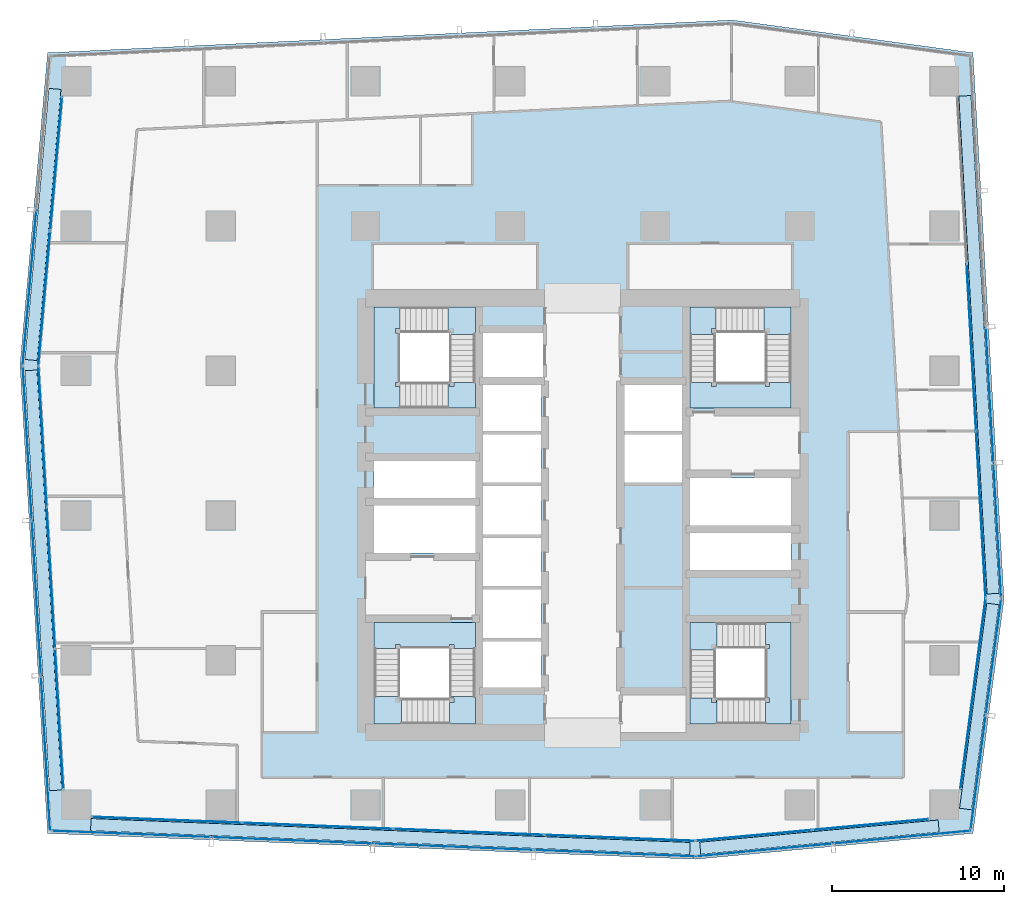
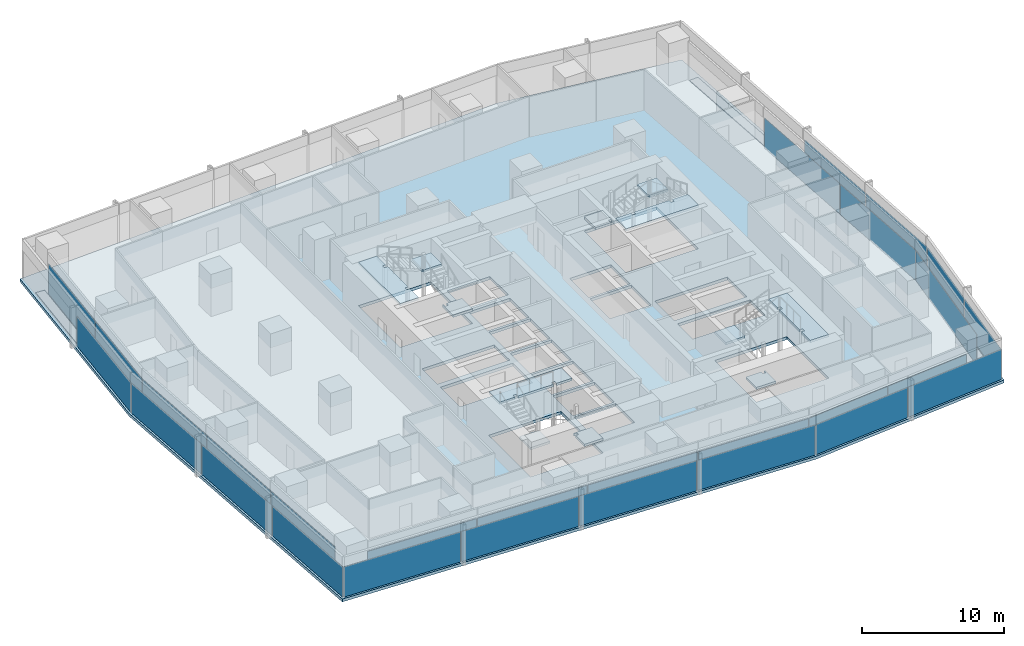
# One storey, part 26 of 39: 34 plates, 13 slabs, 16 elements without a shape of their own.
"""IFC4 building model written with IfcOpenShell, lengths in metres."""

from ifc_helpers import new_model, si_unit, direction, frame, origin, origin_2d, place, context, subcontext, project, spatial, polyline, rectangle, outline, extrude, material, layer, layer_set, type_object, element, aggregate, save


model = new_model("IFC4")

# Units and contexts
model_context = context("Model", 3, precision=1e-05, world=origin(), true_north=direction((0.0, 1.0)))
body_context = subcontext(model_context, "Body", "Model", "MODEL_VIEW")
ifc_project = project(units=[si_unit("LENGTHUNIT", "METRE"), si_unit("AREAUNIT", "SQUARE_METRE"), si_unit("VOLUMEUNIT", "CUBIC_METRE"), si_unit("PLANEANGLEUNIT", "RADIAN"), si_unit("MASSUNIT", "GRAM", prefix="KILO")], contexts=[model_context])

# Site, building, storey
site_placement = place(None, origin())
site = spatial("IfcSite", under=ifc_project, at=site_placement, CompositionType="ELEMENT")
building_placement = place(site_placement, origin())
building = spatial("IfcBuilding", under=site, at=building_placement, Name="Rekha Terrace Tower", CompositionType="ELEMENT")
storey_placement = place(building_placement, frame((0.0, 0.0, 180.199951171875)))
storey = spatial("IfcBuildingStorey", under=building, at=storey_placement, Name="L45", CompositionType="ELEMENT", Elevation=180.199951171875)

# Curtain wall, plates
ifc_material_1 = material(Name="Aluminium framing", Category="aluminium")
curtain_wall_type_1 = type_object("IfcCurtainWallType", Name="CW1 double skin inner glazing", PredefinedType="USERDEFINED", material=ifc_material_1)
curtain_wall_1_placement = place(storey_placement, origin())
curtain_wall_1 = element("IfcCurtainWall", 1, at=curtain_wall_1_placement, inside=storey, type_object=curtain_wall_type_1, Name="CW1 double skin inner glazing", ObjectType="DOUBLE SKIN INNER GLAZING", PredefinedType="USERDEFINED")
ifc_material_2 = material(Name="Double-glazed low-e unit 32", Category="glass")
ifc_layer_1 = layer(ifc_material_2, 0.031982421875)
ifc_layer_set_1 = layer_set([ifc_layer_1], Name="Double-glazed low-e unit 32")
plate_type_1 = type_object("IfcPlateType", Name="CW1 jumbo vision panel, double-glazed low-e unit 32", PredefinedType="CURTAIN_PANEL", material=ifc_layer_set_1)
plate_1_placement = place(storey_placement, frame((13.669677734375, 15.934814453125, 0.0), z_axis=(0.0, 0.0, 1.0), x_axis=(0.999204775799, -0.039872497044, 0.0)))
plate_1 = element("IfcPlate", 2, at=plate_1_placement, type_object=plate_type_1, Name="CW1 panel 1.1", PredefinedType="CURTAIN_PANEL", context=body_context, shape_type="SweptSolid", body=[
    extrude(rectangle(XDim=8.6689453125, YDim=0.031982421875, at=origin_2d()), origin(), (0.0, 0.0, 1.0), 2.60009765625),
])
plate_2_placement = place(storey_placement, frame((22.4130859375, 15.5859375, 0.0), z_axis=(0.0, 0.0, 1.0), x_axis=(0.999204775799, -0.039872497044, 0.0)))
plate_2 = element("IfcPlate", 3, at=plate_2_placement, type_object=plate_type_1, Name="CW1 panel 2.1", PredefinedType="CURTAIN_PANEL", context=body_context, shape_type="SweptSolid", body=[
    extrude(rectangle(XDim=8.701416015625, YDim=0.031982421875, at=origin_2d()), origin(), (0.0, 0.0, 1.0), 2.60009765625),
])
plate_3_placement = place(storey_placement, frame((31.172607421875, 15.236328125, 0.0), z_axis=(0.0, 0.0, 1.0), x_axis=(0.999204775799, -0.039872497044, 0.0)))
plate_3 = element("IfcPlate", 4, at=plate_3_placement, type_object=plate_type_1, Name="CW1 panel 3.1", PredefinedType="CURTAIN_PANEL", context=body_context, shape_type="SweptSolid", body=[
    extrude(rectangle(XDim=8.701416015625, YDim=0.031982421875, at=origin_2d()), origin(), (0.0, 0.0, 1.0), 2.60009765625),
])
plate_4_placement = place(storey_placement, frame((39.9482421875, 14.885986328125, 0.0), z_axis=(0.0, 0.0, 1.0), x_axis=(0.999204775799, -0.039872497044, 0.0)))
plate_4 = element("IfcPlate", 5, at=plate_4_placement, type_object=plate_type_1, Name="CW1 panel 4.1", PredefinedType="CURTAIN_PANEL", context=body_context, shape_type="SweptSolid", body=[
    extrude(rectangle(XDim=8.73388671875, YDim=0.031982421875, at=origin_2d()), origin(), (0.0, 0.0, 1.0), 2.60009765625),
])
aggregate(curtain_wall_1, [plate_1, plate_2, plate_3, plate_4])

curtain_wall_2_placement = place(storey_placement, origin())
curtain_wall_2 = element("IfcCurtainWall", 6, at=curtain_wall_2_placement, inside=storey, type_object=curtain_wall_type_1, Name="CW1 double skin inner glazing", ObjectType="DOUBLE SKIN INNER GLAZING", PredefinedType="USERDEFINED")
plate_5_placement = place(storey_placement, frame((47.73193359375, 15.030517578125, 0.0), z_axis=(0.0, 0.0, 1.0), x_axis=(0.995693258745, 0.092708869529, 0.0)))
plate_5 = element("IfcPlate", 7, at=plate_5_placement, type_object=plate_type_1, Name="CW1 panel 1.1", PredefinedType="CURTAIN_PANEL", context=body_context, shape_type="SweptSolid", body=[
    extrude(rectangle(XDim=6.739501953125, YDim=0.031982421875, at=origin_2d()), origin(), (0.0, 0.0, 1.0), 2.60009765625),
])
plate_6_placement = place(storey_placement, frame((54.507080078125, 15.6611328125, 0.0), z_axis=(0.0, 0.0, 1.0), x_axis=(0.995693258745, 0.092708869529, 0.0)))
plate_6 = element("IfcPlate", 8, at=plate_6_placement, type_object=plate_type_1, Name="CW1 panel 2.1", PredefinedType="CURTAIN_PANEL", context=body_context, shape_type="SweptSolid", body=[
    extrude(rectangle(XDim=6.739501953125, YDim=0.031982421875, at=origin_2d()), origin(), (0.0, 0.0, 1.0), 2.60009765625),
])
aggregate(curtain_wall_2, [plate_5, plate_6])

# Curtain wall, plate
curtain_wall_3_placement = place(storey_placement, origin())
curtain_wall_3 = element("IfcCurtainWall", 9, at=curtain_wall_3_placement, inside=storey, type_object=curtain_wall_type_1, Name="CW1 double skin inner glazing", ObjectType="DOUBLE SKIN INNER GLAZING", PredefinedType="USERDEFINED")
plate_7_placement = place(storey_placement, frame((60.4541015625, 23.253173828125, 0.0), z_axis=(0.0, 0.0, 1.0), x_axis=(0.131303603023, 0.991342203194, 0.0)))
plate_7 = element("IfcPlate", 10, at=plate_7_placement, type_object=plate_type_1, Name="CW1 panel 1.1", PredefinedType="CURTAIN_PANEL", context=body_context, shape_type="SweptSolid", body=[
    extrude(rectangle(XDim=11.150146484375, YDim=0.031982421875, at=origin_2d()), origin(), (0.0, 0.0, 1.0), 2.60009765625),
])
aggregate(curtain_wall_3, [plate_7])

# Curtain wall, plates
curtain_wall_4_placement = place(storey_placement, origin())
curtain_wall_4 = element("IfcCurtainWall", 11, at=curtain_wall_4_placement, inside=storey, type_object=curtain_wall_type_1, Name="CW1 double skin inner glazing", ObjectType="DOUBLE SKIN INNER GLAZING", PredefinedType="USERDEFINED")
plate_8_placement = place(storey_placement, frame((60.909423828125, 33.653564453125, 0.0), z_axis=(0.0, 0.0, 1.0), x_axis=(-0.056673194877, 0.998392782918, 0.0)))
plate_8 = element("IfcPlate", 12, at=plate_8_placement, type_object=plate_type_1, Name="CW1 panel 1.1", PredefinedType="CURTAIN_PANEL", context=body_context, shape_type="SweptSolid", body=[
    extrude(rectangle(XDim=9.633056640625, YDim=0.031982421875, at=origin_2d()), origin(), (0.0, 0.0, 1.0), 2.60009765625),
])
plate_9_placement = place(storey_placement, frame((60.35888671875, 43.352294921875, 0.0), z_axis=(0.0, 0.0, 1.0), x_axis=(-0.056673194877, 0.998392782918, 0.0)))
plate_9 = element("IfcPlate", 13, at=plate_9_placement, type_object=plate_type_1, Name="CW1 panel 2.1", PredefinedType="CURTAIN_PANEL", context=body_context, shape_type="SweptSolid", body=[
    extrude(rectangle(XDim=9.66552734375, YDim=0.031982421875, at=origin_2d()), origin(), (0.0, 0.0, 1.0), 2.60009765625),
])
aggregate(curtain_wall_4, [plate_8, plate_9])

curtain_wall_5_placement = place(storey_placement, origin())
curtain_wall_5 = element("IfcCurtainWall", 14, at=curtain_wall_5_placement, inside=storey, type_object=curtain_wall_type_1, Name="CW1 double skin inner glazing", ObjectType="DOUBLE SKIN INNER GLAZING", PredefinedType="USERDEFINED")
plate_10_placement = place(storey_placement, frame((7.2451171875, 54.007080078125, 0.0), z_axis=(0.0, 0.0, 1.0), x_axis=(-0.087957985488, -0.996124185425, 0.0)))
plate_10 = element("IfcPlate", 15, at=plate_10_placement, type_object=plate_type_1, Name="CW1 panel 1.1", PredefinedType="CURTAIN_PANEL", context=body_context, shape_type="SweptSolid", body=[
    extrude(rectangle(XDim=7.73876953125, YDim=0.031982421875, at=origin_2d()), origin(), (0.0, 0.0, 1.0), 2.60009765625),
])
plate_11_placement = place(storey_placement, frame((6.555908203125, 46.201171875, 0.0), z_axis=(0.0, 0.0, 1.0), x_axis=(-0.087957985488, -0.996124185425, 0.0)))
plate_11 = element("IfcPlate", 16, at=plate_11_placement, type_object=plate_type_1, Name="CW1 panel 2.1", PredefinedType="CURTAIN_PANEL", context=body_context, shape_type="SweptSolid", body=[
    extrude(rectangle(XDim=7.8037109375, YDim=0.031982421875, at=origin_2d()), origin(), (0.0, 0.0, 1.0), 2.60009765625),
])
aggregate(curtain_wall_5, [plate_10, plate_11])

curtain_wall_6_placement = place(storey_placement, origin())
curtain_wall_6 = element("IfcCurtainWall", 17, at=curtain_wall_6_placement, inside=storey, type_object=curtain_wall_type_1, Name="CW1 double skin inner glazing", ObjectType="DOUBLE SKIN INNER GLAZING", PredefinedType="USERDEFINED")
plate_12_placement = place(storey_placement, frame((6.455322265625, 38.191650390625, 0.0), z_axis=(0.0, 0.0, 1.0), x_axis=(0.058765082551, -0.998271839267, 0.0)))
plate_12 = element("IfcPlate", 18, at=plate_12_placement, type_object=plate_type_1, Name="CW1 panel 1.1", PredefinedType="CURTAIN_PANEL", context=body_context, shape_type="SweptSolid", body=[
    extrude(rectangle(XDim=8.129638671875, YDim=0.031982421875, at=origin_2d()), origin(), (0.0, 0.0, 1.0), 2.60009765625),
])
plate_13_placement = place(storey_placement, frame((6.93798828125, 29.9951171875, 0.0), z_axis=(0.0, 0.0, 1.0), x_axis=(0.058765082551, -0.998271839267, 0.0)))
plate_13 = element("IfcPlate", 19, at=plate_13_placement, type_object=plate_type_1, Name="CW1 panel 2.1", PredefinedType="CURTAIN_PANEL", context=body_context, shape_type="SweptSolid", body=[
    extrude(rectangle(XDim=8.162109375, YDim=0.031982421875, at=origin_2d()), origin(), (0.0, 0.0, 1.0), 2.60009765625),
])
plate_14_placement = place(storey_placement, frame((7.42041015625, 21.79833984375, 0.0), z_axis=(0.0, 0.0, 1.0), x_axis=(0.058765082551, -0.998271839267, 0.0)))
plate_14 = element("IfcPlate", 20, at=plate_14_placement, type_object=plate_type_1, Name="CW1 panel 3.1", PredefinedType="CURTAIN_PANEL", context=body_context, shape_type="SweptSolid", body=[
    extrude(rectangle(XDim=8.129638671875, YDim=0.031982421875, at=origin_2d()), origin(), (0.0, 0.0, 1.0), 2.60009765625),
])
aggregate(curtain_wall_6, [plate_12, plate_13, plate_14])

curtain_wall_type_2 = type_object("IfcCurtainWallType", Name="CW2 double skin outer glazing", PredefinedType="USERDEFINED", material=ifc_material_1)
curtain_wall_7_placement = place(storey_placement, origin())
curtain_wall_7 = element("IfcCurtainWall", 21, at=curtain_wall_7_placement, inside=storey, type_object=curtain_wall_type_2, Name="CW2 double skin outer glazing", ObjectType="DOUBLE SKIN OUTER GLAZING", PredefinedType="USERDEFINED")
ifc_material_3 = material(Name="Toughened single glazing 12", Category="glass")
ifc_layer_2 = layer(ifc_material_3, 0.011962890625)
ifc_layer_set_2 = layer_set([ifc_layer_2], Name="Toughened single glazing 12")
plate_type_2 = type_object("IfcPlateType", Name="CW2 jumbo vision panel, toughened single glazing 12", PredefinedType="CURTAIN_PANEL", material=ifc_layer_set_2)
plate_15_placement = place(storey_placement, frame((11.6005859375, 15.116455078125, 0.0), z_axis=(0.0, 0.0, 1.0), x_axis=(0.999204775799, -0.039872497044, 0.0)))
plate_15 = element("IfcPlate", 22, at=plate_15_placement, type_object=plate_type_2, Name="CW2 panel 1.1", PredefinedType="CURTAIN_PANEL", context=body_context, shape_type="SweptSolid", body=[
    extrude(rectangle(XDim=9.24609375, YDim=0.011962890625, at=origin_2d()), origin(), (0.0, 0.0, 1.0), 2.60009765625),
])
plate_16_placement = place(storey_placement, frame((20.939208984375, 14.743896484375, 0.0), z_axis=(0.0, 0.0, 1.0), x_axis=(0.999204775799, -0.039872497044, 0.0)))
plate_16 = element("IfcPlate", 23, at=plate_16_placement, type_object=plate_type_2, Name="CW2 panel 2.1", PredefinedType="CURTAIN_PANEL", context=body_context, shape_type="SweptSolid", body=[
    extrude(rectangle(XDim=9.2861328125, YDim=0.011962890625, at=origin_2d()), origin(), (0.0, 0.0, 1.0), 2.60009765625),
])
plate_17_placement = place(storey_placement, frame((30.2978515625, 14.370361328125, 0.0), z_axis=(0.0, 0.0, 1.0), x_axis=(0.999204775799, -0.039872497044, 0.0)))
plate_17 = element("IfcPlate", 24, at=plate_17_placement, type_object=plate_type_2, Name="CW2 panel 3.1", PredefinedType="CURTAIN_PANEL", context=body_context, shape_type="SweptSolid", body=[
    extrude(rectangle(XDim=9.2861328125, YDim=0.011962890625, at=origin_2d()), origin(), (0.0, 0.0, 1.0), 2.60009765625),
])
plate_18_placement = place(storey_placement, frame((39.676513671875, 13.996337890625, 0.0), z_axis=(0.0, 0.0, 1.0), x_axis=(0.999204775799, -0.039872497044, 0.0)))
plate_18 = element("IfcPlate", 25, at=plate_18_placement, type_object=plate_type_2, Name="CW2 panel 4.1", PredefinedType="CURTAIN_PANEL", context=body_context, shape_type="SweptSolid", body=[
    extrude(rectangle(XDim=9.326171875, YDim=0.011962890625, at=origin_2d()), origin(), (0.0, 0.0, 1.0), 2.60009765625),
])
aggregate(curtain_wall_7, [plate_15, plate_16, plate_17, plate_18])

curtain_wall_8_placement = place(storey_placement, origin())
curtain_wall_8 = element("IfcCurtainWall", 26, at=curtain_wall_8_placement, inside=storey, type_object=curtain_wall_type_2, Name="CW2 double skin outer glazing", ObjectType="DOUBLE SKIN OUTER GLAZING", PredefinedType="USERDEFINED")
plate_19_placement = place(storey_placement, frame((48.348876953125, 14.183837890625, 0.0), z_axis=(0.0, 0.0, 1.0), x_axis=(0.995693258747, 0.092708869512, 0.0)))
plate_19 = element("IfcPlate", 27, at=plate_19_placement, type_object=plate_type_2, Name="CW2 panel 1.1", PredefinedType="CURTAIN_PANEL", context=body_context, shape_type="SweptSolid", body=[
    extrude(rectangle(XDim=7.900634765625, YDim=0.011962890625, at=origin_2d()), origin(), (0.0, 0.0, 1.0), 2.60009765625),
])
plate_20_placement = place(storey_placement, frame((56.3349609375, 14.927490234375, 0.0), z_axis=(0.0, 0.0, 1.0), x_axis=(0.995693258747, 0.092708869512, 0.0)))
plate_20 = element("IfcPlate", 28, at=plate_20_placement, type_object=plate_type_2, Name="CW2 panel 2.1", PredefinedType="CURTAIN_PANEL", context=body_context, shape_type="SweptSolid", body=[
    extrude(rectangle(XDim=7.980712890625, YDim=0.011962890625, at=origin_2d()), origin(), (0.0, 0.0, 1.0), 2.60009765625),
])
aggregate(curtain_wall_8, [plate_19, plate_20])

curtain_wall_9_placement = place(storey_placement, origin())
curtain_wall_9 = element("IfcCurtainWall", 29, at=curtain_wall_9_placement, inside=storey, type_object=curtain_wall_type_2, Name="CW2 double skin outer glazing", ObjectType="DOUBLE SKIN OUTER GLAZING", PredefinedType="USERDEFINED")
plate_21_placement = place(storey_placement, frame((60.756103515625, 18.679443359375, 0.0), z_axis=(0.0, 0.0, 1.0), x_axis=(0.131303603075, 0.991342203187, 0.0)))
plate_21 = element("IfcPlate", 30, at=plate_21_placement, type_object=plate_type_2, Name="CW2 panel 1.1", PredefinedType="CURTAIN_PANEL", context=body_context, shape_type="SweptSolid", body=[
    extrude(rectangle(XDim=6.6630859375, YDim=0.011962890625, at=origin_2d()), origin(), (0.0, 0.0, 1.0), 2.60009765625),
])
plate_22_placement = place(storey_placement, frame((61.646728515625, 25.40380859375, 0.0), z_axis=(0.0, 0.0, 1.0), x_axis=(0.131303603075, 0.991342203187, 0.0)))
plate_22 = element("IfcPlate", 31, at=plate_22_placement, type_object=plate_type_2, Name="CW2 panel 2.1", PredefinedType="CURTAIN_PANEL", context=body_context, shape_type="SweptSolid", body=[
    extrude(rectangle(XDim=6.742919921875, YDim=0.011962890625, at=origin_2d()), origin(), (0.0, 0.0, 1.0), 2.60009765625),
])
aggregate(curtain_wall_9, [plate_21, plate_22])

curtain_wall_10_placement = place(storey_placement, origin())
curtain_wall_10 = element("IfcCurtainWall", 32, at=curtain_wall_10_placement, inside=storey, type_object=curtain_wall_type_2, Name="CW2 double skin outer glazing", ObjectType="DOUBLE SKIN OUTER GLAZING", PredefinedType="USERDEFINED")
plate_23_placement = place(storey_placement, frame((61.8642578125, 32.71142578125, 0.0), z_axis=(0.0, 0.0, 1.0), x_axis=(-0.05667319486, 0.998392782919, 0.0)))
plate_23 = element("IfcPlate", 33, at=plate_23_placement, type_object=plate_type_2, Name="CW2 panel 1.1", PredefinedType="CURTAIN_PANEL", context=body_context, shape_type="SweptSolid", body=[
    extrude(rectangle(XDim=7.783447265625, YDim=0.011962890625, at=origin_2d()), origin(), (0.0, 0.0, 1.0), 2.60009765625),
])
plate_24_placement = place(storey_placement, frame((61.41748046875, 40.582275390625, 0.0), z_axis=(0.0, 0.0, 1.0), x_axis=(-0.05667319486, 0.998392782919, 0.0)))
plate_24 = element("IfcPlate", 34, at=plate_24_placement, type_object=plate_type_2, Name="CW2 panel 2.1", PredefinedType="CURTAIN_PANEL", context=body_context, shape_type="SweptSolid", body=[
    extrude(rectangle(XDim=7.823486328125, YDim=0.011962890625, at=origin_2d()), origin(), (0.0, 0.0, 1.0), 2.60009765625),
])
aggregate(curtain_wall_10, [plate_23, plate_24])

# Curtain wall, plate
curtain_wall_11_placement = place(storey_placement, origin())
curtain_wall_11 = element("IfcCurtainWall", 35, at=curtain_wall_11_placement, inside=storey, type_object=curtain_wall_type_2, Name="CW2 double skin outer glazing", ObjectType="DOUBLE SKIN OUTER GLAZING", PredefinedType="USERDEFINED")
plate_25_placement = place(storey_placement, frame((5.705322265625, 46.800048828125, 0.0), z_axis=(0.0, 0.0, 1.0), x_axis=(-0.087957985453, -0.996124185428, 0.0)))
plate_25 = element("IfcPlate", 36, at=plate_25_placement, type_object=plate_type_2, Name="CW2 panel 2.1", PredefinedType="CURTAIN_PANEL", context=body_context, shape_type="SweptSolid", body=[
    extrude(rectangle(XDim=8.9794921875, YDim=0.011962890625, at=origin_2d()), origin(), (0.0, 0.0, 1.0), 2.60009765625),
])
aggregate(curtain_wall_11, [plate_25])

# Curtain wall, plates
curtain_wall_12_placement = place(storey_placement, origin())
curtain_wall_12 = element("IfcCurtainWall", 37, at=curtain_wall_12_placement, inside=storey, type_object=curtain_wall_type_2, Name="CW2 double skin outer glazing", ObjectType="DOUBLE SKIN OUTER GLAZING", PredefinedType="USERDEFINED")
plate_26_placement = place(storey_placement, frame((5.57666015625, 37.8037109375, 0.0), z_axis=(0.0, 0.0, 1.0), x_axis=(0.058765082499, -0.99827183927, 0.0)))
plate_26 = element("IfcPlate", 38, at=plate_26_placement, type_object=plate_type_2, Name="CW2 panel 1.1", PredefinedType="CURTAIN_PANEL", context=body_context, shape_type="SweptSolid", body=[
    extrude(rectangle(XDim=8.903564453125, YDim=0.011962890625, at=origin_2d()), origin(), (0.0, 0.0, 1.0), 2.60009765625),
])
plate_27_placement = place(storey_placement, frame((6.105712890625, 28.81591796875, 0.0), z_axis=(0.0, 0.0, 1.0), x_axis=(0.058765082499, -0.99827183927, 0.0)))
plate_27 = element("IfcPlate", 39, at=plate_27_placement, type_object=plate_type_2, Name="CW2 panel 2.1", PredefinedType="CURTAIN_PANEL", context=body_context, shape_type="SweptSolid", body=[
    extrude(rectangle(XDim=8.943359375, YDim=0.011962890625, at=origin_2d()), origin(), (0.0, 0.0, 1.0), 2.60009765625),
])
plate_28_placement = place(storey_placement, frame((6.63720703125, 19.7880859375, 0.0), z_axis=(0.0, 0.0, 1.0), x_axis=(0.058765082499, -0.99827183927, 0.0)))
plate_28 = element("IfcPlate", 40, at=plate_28_placement, type_object=plate_type_2, Name="CW2 panel 3.1", PredefinedType="CURTAIN_PANEL", context=body_context, shape_type="SweptSolid", body=[
    extrude(rectangle(XDim=8.9833984375, YDim=0.011962890625, at=origin_2d()), origin(), (0.0, 0.0, 1.0), 2.60009765625),
])
aggregate(curtain_wall_12, [plate_26, plate_27, plate_28])

# Plates
ifc_material_4 = material(Name="Galvanised steel open grating", Category="steel")
ifc_layer_3 = layer(ifc_material_4, 0.050048828125)
ifc_layer_set_3 = layer_set([ifc_layer_3], Name="Galvanised steel open grating")
plate_type_3 = type_object("IfcPlateType", Name="GT1 cavity walkway grating 50", PredefinedType="USERDEFINED", material=ifc_layer_set_3)
plate_29_placement = place(storey_placement, frame((26.641357421875, 14.966796875, 0.0), z_axis=(0.0, 0.0, 1.0), x_axis=(0.999204775799, -0.039872497044, 0.0)))
element("IfcPlate", 41, at=plate_29_placement, inside=storey, type_object=plate_type_3, Name="Cavity walkway grating", ObjectType="CAVITY WALKWAY GRATING", PredefinedType="USERDEFINED", context=body_context, shape_type="SweptSolid", body=[
    extrude(rectangle(XDim=34.793212890625, YDim=0.705078125, at=origin_2d()), origin(), (0.0, 0.0, 1.0), 0.050048828125),
])
plate_30_placement = place(storey_placement, frame((51.540771484375, 14.93310546875, 0.0), z_axis=(0.0, 0.0, 1.0), x_axis=(0.995693258745, 0.092708869529, 0.0)))
element("IfcPlate", 42, at=plate_30_placement, inside=storey, type_object=plate_type_3, Name="Cavity walkway grating", ObjectType="CAVITY WALKWAY GRATING", PredefinedType="USERDEFINED", context=body_context, shape_type="SweptSolid", body=[
    extrude(rectangle(XDim=13.896240234375, YDim=0.705078125, at=origin_2d()), origin(), (0.0, 0.0, 1.0), 0.050048828125),
])
plate_31_placement = place(storey_placement, frame((60.81005859375, 22.5146484375, 0.0), z_axis=(0.0, 0.0, 1.0), x_axis=(0.131303603075, 0.991342203187, 0.0)))
element("IfcPlate", 43, at=plate_31_placement, inside=storey, type_object=plate_type_3, Name="Cavity walkway grating", ObjectType="CAVITY WALKWAY GRATING", PredefinedType="USERDEFINED", context=body_context, shape_type="SweptSolid", body=[
    extrude(rectangle(XDim=12.005859375, YDim=0.705078125, at=origin_2d()), origin(), (0.0, 0.0, 1.0), 0.050048828125),
])
plate_32_placement = place(storey_placement, frame((60.80078125, 43.505615234375, 0.0), z_axis=(0.0, 0.0, 1.0), x_axis=(-0.05667319486, 0.998392782919, 0.0)))
element("IfcPlate", 44, at=plate_32_placement, inside=storey, type_object=plate_type_3, Name="Cavity walkway grating", ObjectType="CAVITY WALKWAY GRATING", PredefinedType="USERDEFINED", context=body_context, shape_type="SweptSolid", body=[
    extrude(rectangle(XDim=28.932861328125, YDim=0.705078125, at=origin_2d()), origin(), (0.0, 0.0, 1.0), 0.050048828125),
])
plate_33_placement = place(storey_placement, frame((6.482666015625, 50.486328125, 0.0), z_axis=(0.0, 0.0, 1.0), x_axis=(-0.087957985471, -0.996124185427, 0.0)))
element("IfcPlate", 45, at=plate_33_placement, inside=storey, type_object=plate_type_3, Name="Cavity walkway grating", ObjectType="CAVITY WALKWAY GRATING", PredefinedType="USERDEFINED", context=body_context, shape_type="SweptSolid", body=[
    extrude(rectangle(XDim=15.7939453125, YDim=0.705078125, at=origin_2d()), origin(), (0.0, 0.0, 1.0), 0.050048828125),
])
plate_34_placement = place(storey_placement, frame((6.49658203125, 29.8359375, 0.0), z_axis=(0.0, 0.0, 1.0), x_axis=(0.058765082516, -0.998271839269, 0.0)))
element("IfcPlate", 46, at=plate_34_placement, inside=storey, type_object=plate_type_3, Name="Cavity walkway grating", ObjectType="CAVITY WALKWAY GRATING", PredefinedType="USERDEFINED", context=body_context, shape_type="SweptSolid", body=[
    extrude(rectangle(XDim=24.41357421875, YDim=0.705078125, at=origin_2d()), origin(), (0.0, 0.0, 1.0), 0.050048828125),
])

# Stair, slabs
ifc_material_5 = material(Name="Concrete M40", Category="concrete")
stair_type = type_object("IfcStairType", Name="ST30 stair, 30 risers of 125, going 310, 1500 wide flights, 3 flights", PredefinedType="HALF_TURN_STAIR", material=ifc_material_5)
stair_1_placement = place(storey_placement, origin())
stair_1 = element("IfcStair", 47, at=stair_1_placement, inside=storey, type_object=stair_type, Name="Stair ST1 L45 to L46", PredefinedType="HALF_TURN_STAIR")
ifc_layer_4 = layer(ifc_material_5, 0.199951171875)
ifc_layer_set_4 = layer_set([ifc_layer_4], Name="Concrete M40")
slab_type_1 = type_object("IfcSlabType", Name="LD1 200 concrete stair landing", PredefinedType="LANDING", material=ifc_layer_set_4)
slab_1_placement = place(storey_placement, frame((0.0, 0.0, 1.050048828125)))
slab_1 = element("IfcSlab", 48, at=slab_1_placement, type_object=slab_type_1, Name="ST1 landing 1", PredefinedType="LANDING", context=body_context, shape_type="SweptSolid", body=[
    extrude(outline(polyline([(30.074951171875, 21.5), (31.574951171875, 21.5), (31.574951171875, 23.0849609375), (30.074951171875, 23.0849609375), (30.074951171875, 23.0), (30.324951171875, 23.0), (30.324951171875, 22.75), (30.074951171875, 22.75), (30.074951171875, 21.5)])), origin(), (0.0, 0.0, 1.0), 0.199951171875),
])
slab_2_placement = place(storey_placement, frame((0.0, 0.0, 2.300048828125)))
slab_2 = element("IfcSlab", 49, at=slab_2_placement, type_object=slab_type_1, Name="ST1 landing 2", PredefinedType="LANDING", context=body_context, shape_type="SweptSolid", body=[
    extrude(outline(polyline([(27.199951171875, 23.0849609375), (25.699951171875, 23.0849609375), (25.699951171875, 21.5), (27.284912109375, 21.5), (27.284912109375, 23.0), (27.199951171875, 23.0), (27.199951171875, 23.0849609375)])), origin(), (0.0, 0.0, 1.0), 0.199951171875),
])
slab_3_placement = place(storey_placement, frame((0.0, 0.0, 3.550048828125)))
slab_3 = element("IfcSlab", 50, at=slab_3_placement, type_object=slab_type_1, Name="ST1 landing 3", PredefinedType="LANDING", context=body_context, shape_type="SweptSolid", body=[
    extrude(outline(polyline([(31.574951171875, 25.875), (31.574951171875, 27.375), (25.699951171875, 27.375), (25.699951171875, 25.875), (26.949951171875, 25.875), (26.949951171875, 26.125), (27.199951171875, 26.125), (27.199951171875, 25.875), (30.074951171875, 25.875), (30.074951171875, 26.125), (30.324951171875, 26.125), (30.324951171875, 25.875), (31.574951171875, 25.875)])), origin(), (0.0, 0.0, 1.0), 0.199951171875),
])
aggregate(stair_1, [slab_1, slab_2, slab_3])

stair_2_placement = place(storey_placement, origin())
stair_2 = element("IfcStair", 51, at=stair_2_placement, inside=storey, type_object=stair_type, Name="Stair ST2 L45 to L46", PredefinedType="HALF_TURN_STAIR")
slab_4_placement = place(storey_placement, frame((0.0, 0.0, 1.050048828125)))
slab_4 = element("IfcSlab", 52, at=slab_4_placement, type_object=slab_type_1, Name="ST2 landing 1", PredefinedType="LANDING", context=body_context, shape_type="SweptSolid", body=[
    extrude(outline(polyline([(45.52490234375, 45.699951171875), (44.02490234375, 45.699951171875), (44.02490234375, 44.114990234375), (45.52490234375, 44.114990234375), (45.52490234375, 44.199951171875), (45.27490234375, 44.199951171875), (45.27490234375, 44.449951171875), (45.52490234375, 44.449951171875), (45.52490234375, 45.699951171875)])), origin(), (0.0, 0.0, 1.0), 0.199951171875),
])
slab_5_placement = place(storey_placement, frame((0.0, 0.0, 2.300048828125)))
slab_5 = element("IfcSlab", 53, at=slab_5_placement, type_object=slab_type_1, Name="ST2 landing 2", PredefinedType="LANDING", context=body_context, shape_type="SweptSolid", body=[
    extrude(outline(polyline([(48.39990234375, 44.114990234375), (49.89990234375, 44.114990234375), (49.89990234375, 45.699951171875), (48.31494140625, 45.699951171875), (48.31494140625, 44.199951171875), (48.39990234375, 44.199951171875), (48.39990234375, 44.114990234375)])), origin(), (0.0, 0.0, 1.0), 0.199951171875),
])
slab_6_placement = place(storey_placement, frame((0.0, 0.0, 3.550048828125)))
slab_6 = element("IfcSlab", 54, at=slab_6_placement, type_object=slab_type_1, Name="ST2 landing 3", PredefinedType="LANDING", context=body_context, shape_type="SweptSolid", body=[
    extrude(outline(polyline([(44.02490234375, 41.324951171875), (44.02490234375, 39.824951171875), (49.89990234375, 39.824951171875), (49.89990234375, 41.324951171875), (48.64990234375, 41.324951171875), (48.64990234375, 41.074951171875), (48.39990234375, 41.074951171875), (48.39990234375, 41.324951171875), (45.52490234375, 41.324951171875), (45.52490234375, 41.074951171875), (45.27490234375, 41.074951171875), (45.27490234375, 41.324951171875), (44.02490234375, 41.324951171875)])), origin(), (0.0, 0.0, 1.0), 0.199951171875),
])
aggregate(stair_2, [slab_4, slab_5, slab_6])

stair_3_placement = place(storey_placement, origin())
stair_3 = element("IfcStair", 55, at=stair_3_placement, inside=storey, type_object=stair_type, Name="Stair ST3 L45 to L46", PredefinedType="HALF_TURN_STAIR")
slab_7_placement = place(storey_placement, frame((0.0, 0.0, 1.050048828125)))
slab_7 = element("IfcSlab", 56, at=slab_7_placement, type_object=slab_type_1, Name="ST3 landing 1", PredefinedType="LANDING", context=body_context, shape_type="SweptSolid", body=[
    extrude(outline(polyline([(44.02490234375, 23.0), (44.02490234375, 21.5), (45.610107421875, 21.5), (45.610107421875, 23.0), (45.52490234375, 23.0), (45.52490234375, 22.75), (45.27490234375, 22.75), (45.27490234375, 23.0), (44.02490234375, 23.0)])), origin(), (0.0, 0.0, 1.0), 0.199951171875),
])
slab_8_placement = place(storey_placement, frame((0.0, 0.0, 2.300048828125)))
slab_8 = element("IfcSlab", 57, at=slab_8_placement, type_object=slab_type_1, Name="ST3 landing 2", PredefinedType="LANDING", context=body_context, shape_type="SweptSolid", body=[
    extrude(outline(polyline([(45.610107421875, 25.875), (45.610107421875, 27.375), (44.02490234375, 27.375), (44.02490234375, 25.7900390625), (45.52490234375, 25.7900390625), (45.52490234375, 25.875), (45.610107421875, 25.875)])), origin(), (0.0, 0.0, 1.0), 0.199951171875),
])
slab_9_placement = place(storey_placement, frame((0.0, 0.0, 3.550048828125)))
slab_9 = element("IfcSlab", 58, at=slab_9_placement, type_object=slab_type_1, Name="ST3 landing 3", PredefinedType="LANDING", context=body_context, shape_type="SweptSolid", body=[
    extrude(outline(polyline([(48.39990234375, 21.5), (49.89990234375, 21.5), (49.89990234375, 27.375), (48.39990234375, 27.375), (48.39990234375, 26.125), (48.64990234375, 26.125), (48.64990234375, 25.875), (48.39990234375, 25.875), (48.39990234375, 23.0), (48.64990234375, 23.0), (48.64990234375, 22.75), (48.39990234375, 22.75), (48.39990234375, 21.5)])), origin(), (0.0, 0.0, 1.0), 0.199951171875),
])
aggregate(stair_3, [slab_7, slab_8, slab_9])

stair_4_placement = place(storey_placement, origin())
stair_4 = element("IfcStair", 59, at=stair_4_placement, inside=storey, type_object=stair_type, Name="Stair ST4 L45 to L46", PredefinedType="HALF_TURN_STAIR")
slab_10_placement = place(storey_placement, frame((0.0, 0.0, 1.050048828125)))
slab_10 = element("IfcSlab", 60, at=slab_10_placement, type_object=slab_type_1, Name="ST4 landing 1", PredefinedType="LANDING", context=body_context, shape_type="SweptSolid", body=[
    extrude(outline(polyline([(31.574951171875, 41.324951171875), (31.574951171875, 39.824951171875), (29.989990234375, 39.824951171875), (29.989990234375, 41.324951171875), (30.074951171875, 41.324951171875), (30.074951171875, 41.074951171875), (30.324951171875, 41.074951171875), (30.324951171875, 41.324951171875), (31.574951171875, 41.324951171875)])), origin(), (0.0, 0.0, 1.0), 0.199951171875),
])
slab_11_placement = place(storey_placement, frame((0.0, 0.0, 2.300048828125)))
slab_11 = element("IfcSlab", 61, at=slab_11_placement, type_object=slab_type_1, Name="ST4 landing 2", PredefinedType="LANDING", context=body_context, shape_type="SweptSolid", body=[
    extrude(outline(polyline([(29.989990234375, 44.199951171875), (29.989990234375, 45.699951171875), (31.574951171875, 45.699951171875), (31.574951171875, 44.114990234375), (30.074951171875, 44.114990234375), (30.074951171875, 44.199951171875), (29.989990234375, 44.199951171875)])), origin(), (0.0, 0.0, 1.0), 0.199951171875),
])
slab_12_placement = place(storey_placement, frame((0.0, 0.0, 3.550048828125)))
slab_12 = element("IfcSlab", 62, at=slab_12_placement, type_object=slab_type_1, Name="ST4 landing 3", PredefinedType="LANDING", context=body_context, shape_type="SweptSolid", body=[
    extrude(outline(polyline([(27.199951171875, 39.824951171875), (25.699951171875, 39.824951171875), (25.699951171875, 45.699951171875), (27.199951171875, 45.699951171875), (27.199951171875, 44.449951171875), (26.949951171875, 44.449951171875), (26.949951171875, 44.199951171875), (27.199951171875, 44.199951171875), (27.199951171875, 41.324951171875), (26.949951171875, 41.324951171875), (26.949951171875, 41.074951171875), (27.199951171875, 41.074951171875), (27.199951171875, 39.824951171875)])), origin(), (0.0, 0.0, 1.0), 0.199951171875),
])
aggregate(stair_4, [slab_10, slab_11, slab_12])

# Slab
ifc_material_6 = material(Name="Concrete M50", Category="concrete")
ifc_layer_5 = layer(ifc_material_6, 0.25)
ifc_layer_set_5 = layer_set([ifc_layer_5], Name="Concrete M50")
slab_type_2 = type_object("IfcSlabType", Name="SL4 250 post-tensioned flat plate", PredefinedType="FLOOR", material=ifc_layer_set_5)
slab_13_placement = place(storey_placement, frame((0.0, 0.0, -0.25)))
element("IfcSlab", 63, at=slab_13_placement, inside=storey, type_object=slab_type_2, Name="Post-tensioned flat plate L45", PredefinedType="FLOOR", context=body_context, shape_type="SweptSolid", body=[
    extrude(outline(polyline([(5.14990234375, 42.330078125), (6.75, 15.14990234375), (44.340087890625, 13.64990234375), (60.449951171875, 15.14990234375), (62.25, 28.739990234375), (60.449951171875, 60.449951171875), (46.488037109375, 62.35009765625), (6.75, 60.449951171875), (5.14990234375, 42.330078125)]), holes=[polyline([(31.574951171875, 27.375), (31.574951171875, 21.5), (25.699951171875, 21.5), (25.699951171875, 27.375), (31.574951171875, 27.375)]), polyline([(35.375, 26.300048828125), (35.375, 23.625), (32.02490234375, 23.625), (32.02490234375, 26.300048828125), (35.375, 26.300048828125)]), polyline([(35.375, 29.300048828125), (35.375, 26.5), (32.02490234375, 26.5), (32.02490234375, 29.300048828125), (35.375, 29.300048828125)]), polyline([(35.375, 32.300048828125), (35.375, 29.5), (32.02490234375, 29.5), (32.02490234375, 32.300048828125), (35.375, 32.300048828125)]), polyline([(31.574951171875, 34.175048828125), (31.574951171875, 31.425048828125), (25.699951171875, 31.425048828125), (25.699951171875, 34.175048828125), (31.574951171875, 34.175048828125)]), polyline([(35.375, 35.300048828125), (35.375, 32.5), (32.02490234375, 32.5), (32.02490234375, 35.300048828125), (35.375, 35.300048828125)]), polyline([(31.574951171875, 36.77490234375), (31.574951171875, 34.625), (25.699951171875, 34.625), (25.699951171875, 36.77490234375), (31.574951171875, 36.77490234375)]), polyline([(35.375, 38.300048828125), (35.375, 35.5), (32.02490234375, 35.5), (32.02490234375, 38.300048828125), (35.375, 38.300048828125)]), polyline([(31.574951171875, 45.699951171875), (31.574951171875, 39.824951171875), (25.699951171875, 39.824951171875), (25.699951171875, 45.699951171875), (31.574951171875, 45.699951171875)]), polyline([(49.89990234375, 27.375), (49.89990234375, 21.5), (44.02490234375, 21.5), (44.02490234375, 27.375), (49.89990234375, 27.375)]), polyline([(49.89990234375, 32.574951171875), (49.89990234375, 30.425048828125), (44.02490234375, 30.425048828125), (44.02490234375, 32.574951171875), (49.89990234375, 32.574951171875)]), polyline([(49.89990234375, 35.77490234375), (49.89990234375, 33.02490234375), (44.02490234375, 33.02490234375), (44.02490234375, 35.77490234375), (49.89990234375, 35.77490234375)]), polyline([(43.574951171875, 38.300048828125), (43.574951171875, 35.5), (40.22509765625, 35.5), (40.22509765625, 38.300048828125), (43.574951171875, 38.300048828125)]), polyline([(35.375, 41.175048828125), (35.375, 38.5), (32.02490234375, 38.5), (32.02490234375, 41.175048828125), (35.375, 41.175048828125)]), polyline([(43.574951171875, 41.175048828125), (43.574951171875, 38.5), (40.22509765625, 38.5), (40.22509765625, 41.175048828125), (43.574951171875, 41.175048828125)]), polyline([(49.89990234375, 39.824951171875), (44.02490234375, 39.824951171875), (44.02490234375, 45.699951171875), (49.89990234375, 45.699951171875), (49.89990234375, 39.824951171875)]), polyline([(35.5, 41.625), (32.02490234375, 41.625), (32.02490234375, 44.175048828125), (35.5, 44.175048828125), (35.5, 41.625)])]), origin(), (0.0, 0.0, 1.0), 0.25),
])

save(model, "model.ifc")
